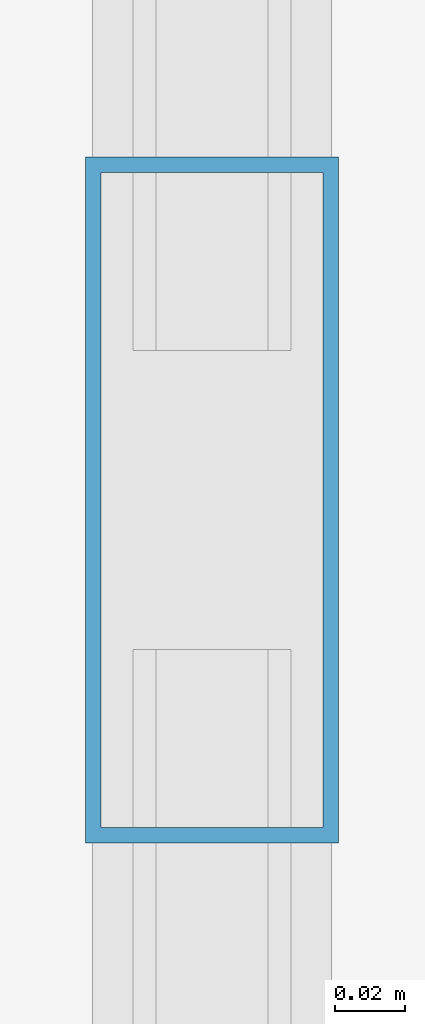
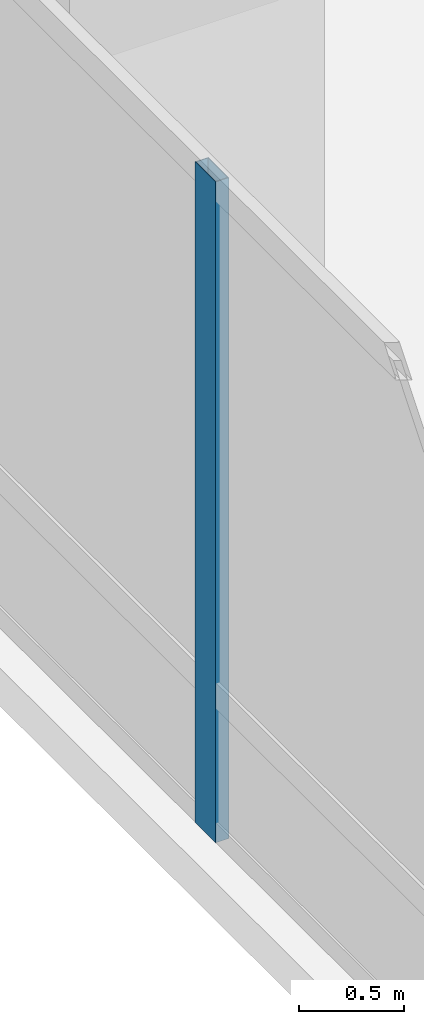
# One storey, part 9 of 36: 1 member, 1 element without a shape of its own.
"""IFC4 building model written with IfcOpenShell, lengths in metres."""

from ifc_helpers import new_model, si_unit, direction, frame, origin, origin_2d, place, context, subcontext, project, spatial, hollow_rectangle, extrude, material, material_profile, profile_set, type_object, element, aggregate, save


model = new_model("IFC4")

# Units and contexts
model_context = context("Model", 3, precision=1e-05, world=origin(), true_north=direction((0.0, 1.0)))
body_context = subcontext(model_context, "Body", "Model", "MODEL_VIEW")
ifc_project = project(units=[si_unit("LENGTHUNIT", "METRE"), si_unit("AREAUNIT", "SQUARE_METRE"), si_unit("VOLUMEUNIT", "CUBIC_METRE"), si_unit("PLANEANGLEUNIT", "RADIAN"), si_unit("MASSUNIT", "GRAM", prefix="KILO")], contexts=[model_context])

# Site, building, storey
site_placement = place(None, origin())
site = spatial("IfcSite", under=ifc_project, at=site_placement, CompositionType="ELEMENT")
building_placement = place(site_placement, origin())
building = spatial("IfcBuilding", under=site, at=building_placement, Name="Punatoya Terracotta Tower", CompositionType="ELEMENT")
storey_placement = place(building_placement, frame((0.0, 0.0, 228.89990234375)))
storey = spatial("IfcBuildingStorey", under=building, at=storey_placement, Name="L54", CompositionType="ELEMENT", Elevation=228.89990234375)

# Curtain wall, member
ifc_material_1 = material(Name="Aluminium 6063-T6 + Double Low-E Glass", Category="aluminium")
curtain_wall_type = type_object("IfcCurtainWallType", Name="CW-M2", PredefinedType="NOTDEFINED", material=ifc_material_1)
curtain_wall_placement = place(storey_placement, origin())
curtain_wall = element("IfcCurtainWall", 1, at=curtain_wall_placement, inside=storey, type_object=curtain_wall_type, Name="L54 Curtain Wall CW-L54-W11-1", PredefinedType="NOTDEFINED")
ifc_material_2 = material(Name="Aluminium 6063-T6", Category="aluminium")
ifc_material_profile = material_profile(ifc_material_2, hollow_rectangle(XDim=0.072021484375, YDim=0.195068359375, WallThickness=0.00439453125, at=origin_2d()))
ifc_profile_set = profile_set([ifc_material_profile], Name="Aluminium 6063-T6")
member_type = type_object("IfcMemberType", Name="CW-MUL-M2", PredefinedType="MULLION", material=ifc_profile_set)
member_placement = place(storey_placement, frame((-20.050048828125, -5.88720703125, 0.0), z_axis=(0.0, 0.0, 1.0), x_axis=(1.0, 0.0, 0.0)))
member = element("IfcMember", 2, at=member_placement, type_object=member_type, Name="CW-L54-W11-1 Mullion 05", PredefinedType="MULLION", context=body_context, shape_type="SweptSolid", body=[
    extrude(hollow_rectangle(XDim=0.072021484375, YDim=0.195068359375, WallThickness=0.00439453125, at=origin_2d()), origin(), (0.0, 0.0, 1.0), 3.830078125),
])
aggregate(curtain_wall, [member])

save(model, "model.ifc")
